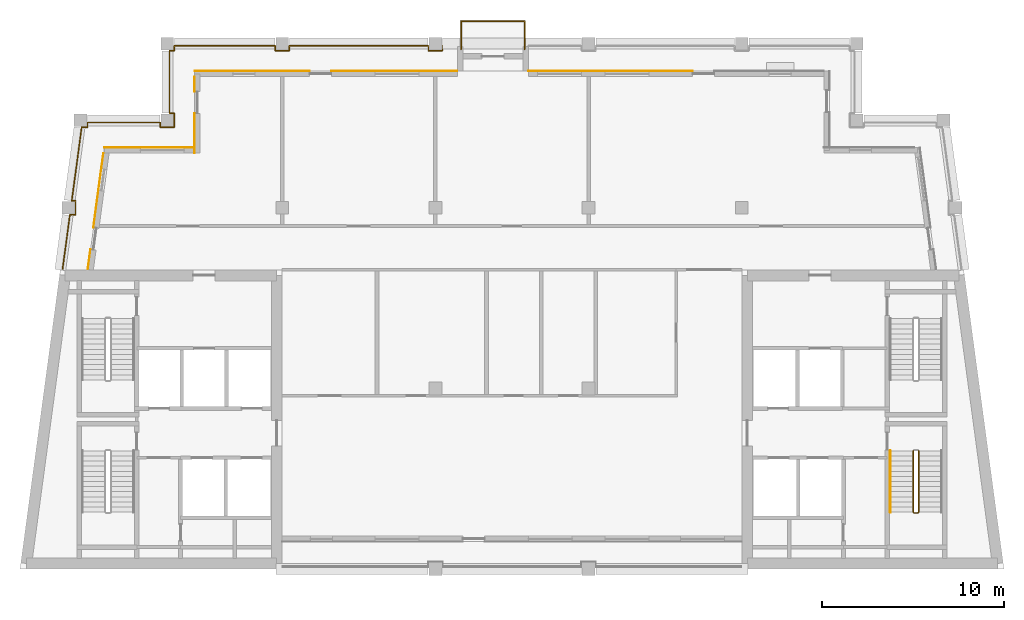
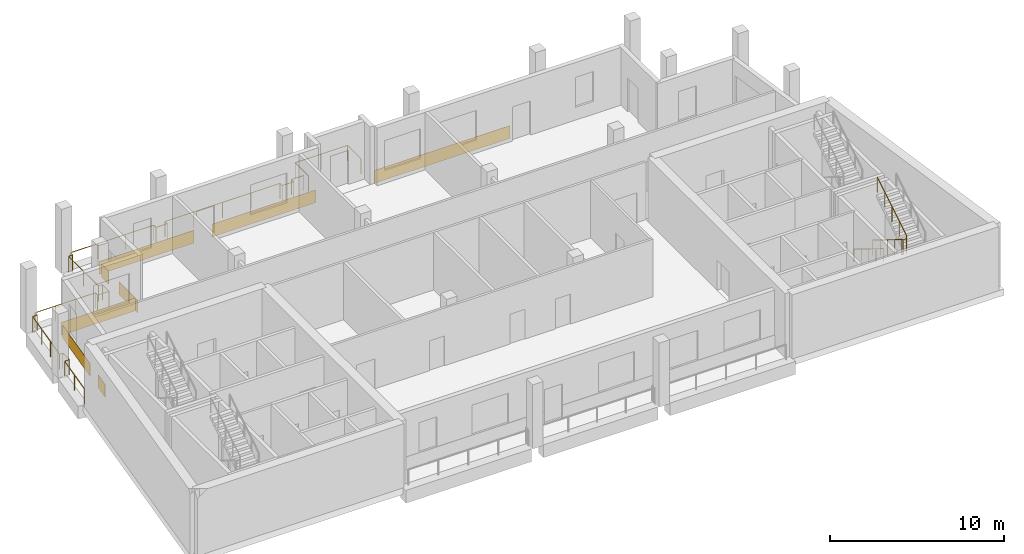
# One storey, part 7 of 9: 8 coverings, 5 railings.
"""IFC4 building model written with IfcOpenShell, lengths in metres."""

from ifc_helpers import new_model, si_unit, direction, frame, origin, origin_2d, place, context, subcontext, project, spatial, rectangle, circle, extrude, material, layer, layer_set, type_object, element, save


model = new_model("IFC4")

# Units and contexts
model_context = context("Model", 3, precision=1e-05, world=origin(), true_north=direction((0.0, 1.0)))
body_context = subcontext(model_context, "Body", "Model", "MODEL_VIEW")
ifc_project = project(units=[si_unit("LENGTHUNIT", "METRE"), si_unit("AREAUNIT", "SQUARE_METRE"), si_unit("VOLUMEUNIT", "CUBIC_METRE"), si_unit("PLANEANGLEUNIT", "RADIAN"), si_unit("MASSUNIT", "GRAM", prefix="KILO")], contexts=[model_context])

# Site, building, storey
site_placement = place(None, origin())
site = spatial("IfcSite", under=ifc_project, at=site_placement, CompositionType="ELEMENT")
building_placement = place(site_placement, origin())
building = spatial("IfcBuilding", under=site, at=building_placement, Name="Candeia Pilgrim Tower and Theatre", CompositionType="ELEMENT")
storey_placement = place(building_placement, frame((0.0, 0.0, 303.39990234375)))
storey = spatial("IfcBuildingStorey", under=building, at=storey_placement, Name="L74", CompositionType="ELEMENT", Elevation=303.39990234375)

# Railings
ifc_material_1 = material(Name="Stainless steel balustrade", Category="steel")
railing_type_1 = type_object("IfcRailingType", Name="G1 loggia guard 1100", PredefinedType="GUARDRAIL", material=ifc_material_1)
railing_1_placement = place(storey_placement, frame((94.1201171875, 140.47998046875, 0.0)))
element("IfcRailing", 1, at=railing_1_placement, inside=storey, type_object=railing_type_1, Name="Guard L74.1", PredefinedType="GUARDRAIL", context=body_context, shape_type="SweptSolid", body=[
    extrude(circle(Radius=0.02392578125, at=origin_2d()), frame((0.0, 0.0, 1.076171875), z_axis=(0.0, -1.0, 0.0), x_axis=(1.0, 0.0, 0.0)), (0.0, 0.0, 1.0), 0.260009765625),
    extrude(circle(Radius=0.02392578125, at=origin_2d()), frame((0.0, -0.260009765625, 1.076171875), z_axis=(1.0, 0.0, 0.0), x_axis=(0.0, 1.0, 0.0)), (0.0, 0.0, 1.0), 0.759765625),
    extrude(circle(Radius=0.02392578125, at=origin_2d()), frame((0.759765625, -0.260009765625, 1.076171875), z_axis=(0.0, 1.0, 0.0), x_axis=(-1.0, 0.0, 0.0)), (0.0, 0.0, 1.0), 0.760009765625),
    extrude(circle(Radius=0.02392578125, at=origin_2d()), frame((0.759765625, 0.5, 1.076171875), z_axis=(-1.0, 0.0, 0.0), x_axis=(0.0, -1.0, 0.0)), (0.0, 0.0, 1.0), 0.259765625),
    extrude(circle(Radius=0.02392578125, at=origin_2d()), frame((0.5, 0.5, 1.076171875), z_axis=(0.0, 1.0, 0.0), x_axis=(-1.0, 0.0, 0.0)), (0.0, 0.0, 1.0), 3.43994140625),
    extrude(circle(Radius=0.02392578125, at=origin_2d()), frame((0.5, 3.93994140625, 1.076171875), z_axis=(1.0, 0.0, 0.0), x_axis=(0.0, 1.0, 0.0)), (0.0, 0.0, 1.0), 0.259765625),
    extrude(circle(Radius=0.02392578125, at=origin_2d()), frame((0.759765625, 3.93994140625, 1.076171875), z_axis=(0.0, 1.0, 0.0), x_axis=(-1.0, 0.0, 0.0)), (0.0, 0.0, 1.0), 0.260009765625),
    extrude(circle(Radius=0.02392578125, at=origin_2d()), frame((0.759765625, 4.199951171875, 1.076171875), z_axis=(1.0, 0.0, 0.0), x_axis=(0.0, 1.0, 0.0)), (0.0, 0.0, 1.0), 5.5400390625),
    extrude(circle(Radius=0.02392578125, at=origin_2d()), frame((6.2998046875, 4.199951171875, 1.076171875), z_axis=(0.0, -1.0, 0.0), x_axis=(1.0, 0.0, 0.0)), (0.0, 0.0, 1.0), 0.260009765625),
    extrude(circle(Radius=0.02392578125, at=origin_2d()), frame((6.2998046875, 3.93994140625, 1.076171875), z_axis=(1.0, 0.0, 0.0), x_axis=(0.0, 1.0, 0.0)), (0.0, 0.0, 1.0), 0.760009765625),
    extrude(circle(Radius=0.02392578125, at=origin_2d()), frame((7.059814453125, 3.93994140625, 1.076171875), z_axis=(0.0, 1.0, 0.0), x_axis=(-1.0, 0.0, 0.0)), (0.0, 0.0, 1.0), 0.260009765625),
    extrude(circle(Radius=0.02392578125, at=origin_2d()), frame((7.059814453125, 4.199951171875, 1.076171875), z_axis=(1.0, 0.0, 0.0), x_axis=(0.0, 1.0, 0.0)), (0.0, 0.0, 1.0), 7.64013671875),
    extrude(circle(Radius=0.02392578125, at=origin_2d()), frame((14.699951171875, 4.199951171875, 1.076171875), z_axis=(0.0, -1.0, 0.0), x_axis=(1.0, 0.0, 0.0)), (0.0, 0.0, 1.0), 0.260009765625),
    extrude(circle(Radius=0.02392578125, at=origin_2d()), frame((14.699951171875, 3.93994140625, 1.076171875), z_axis=(1.0, 0.0, 0.0), x_axis=(0.0, 1.0, 0.0)), (0.0, 0.0, 1.0), 0.760009765625),
    extrude(circle(Radius=0.02392578125, at=origin_2d()), frame((15.4599609375, 3.93994140625, 1.076171875), z_axis=(0.0, 1.0, 0.0), x_axis=(-1.0, 0.0, 0.0)), (0.0, 0.0, 1.0), 0.260009765625),
    extrude(circle(Radius=0.02392578125, at=origin_2d()), frame((15.4599609375, 4.199951171875, 1.076171875), z_axis=(1.0, 0.0, 0.0), x_axis=(0.0, 1.0, 0.0)), (0.0, 0.0, 1.0), 0.81982421875),
    extrude(circle(Radius=0.02099609375, at=origin_2d()), origin(), (0.0, 0.0, 1.0), 1.052001953125),
    extrude(circle(Radius=0.02099609375, at=origin_2d()), frame((0.0, -0.260009765625, 0.0)), (0.0, 0.0, 1.0), 1.052001953125),
    extrude(circle(Radius=0.02099609375, at=origin_2d()), frame((0.759765625, -0.260009765625, 0.0)), (0.0, 0.0, 1.0), 1.052001953125),
    extrude(circle(Radius=0.02099609375, at=origin_2d()), frame((0.759765625, 0.5, 0.0)), (0.0, 0.0, 1.0), 1.052001953125),
    extrude(circle(Radius=0.02099609375, at=origin_2d()), frame((0.5, 0.5, 0.0)), (0.0, 0.0, 1.0), 1.052001953125),
    extrude(circle(Radius=0.02099609375, at=origin_2d()), frame((0.5, 2.219970703125, 0.0)), (0.0, 0.0, 1.0), 1.052001953125),
    extrude(circle(Radius=0.02099609375, at=origin_2d()), frame((0.5, 3.93994140625, 0.0)), (0.0, 0.0, 1.0), 1.052001953125),
    extrude(circle(Radius=0.02099609375, at=origin_2d()), frame((0.759765625, 3.93994140625, 0.0)), (0.0, 0.0, 1.0), 1.052001953125),
    extrude(circle(Radius=0.02099609375, at=origin_2d()), frame((0.759765625, 4.199951171875, 0.0)), (0.0, 0.0, 1.0), 1.052001953125),
    extrude(circle(Radius=0.02099609375, at=origin_2d()), frame((2.6064453125, 4.199951171875, 0.0)), (0.0, 0.0, 1.0), 1.052001953125),
    extrude(circle(Radius=0.02099609375, at=origin_2d()), frame((4.453125, 4.199951171875, 0.0)), (0.0, 0.0, 1.0), 1.052001953125),
    extrude(circle(Radius=0.02099609375, at=origin_2d()), frame((6.2998046875, 4.199951171875, 0.0)), (0.0, 0.0, 1.0), 1.052001953125),
    extrude(circle(Radius=0.02099609375, at=origin_2d()), frame((6.2998046875, 3.93994140625, 0.0)), (0.0, 0.0, 1.0), 1.052001953125),
    extrude(circle(Radius=0.02099609375, at=origin_2d()), frame((7.059814453125, 3.93994140625, 0.0)), (0.0, 0.0, 1.0), 1.052001953125),
    extrude(circle(Radius=0.02099609375, at=origin_2d()), frame((7.059814453125, 4.199951171875, 0.0)), (0.0, 0.0, 1.0), 1.052001953125),
    extrude(circle(Radius=0.02099609375, at=origin_2d()), frame((8.9697265625, 4.199951171875, 0.0)), (0.0, 0.0, 1.0), 1.052001953125),
    extrude(circle(Radius=0.02099609375, at=origin_2d()), frame((10.8798828125, 4.199951171875, 0.0)), (0.0, 0.0, 1.0), 1.052001953125),
    extrude(circle(Radius=0.02099609375, at=origin_2d()), frame((12.7900390625, 4.199951171875, 0.0)), (0.0, 0.0, 1.0), 1.052001953125),
    extrude(circle(Radius=0.02099609375, at=origin_2d()), frame((14.699951171875, 4.199951171875, 0.0)), (0.0, 0.0, 1.0), 1.052001953125),
    extrude(circle(Radius=0.02099609375, at=origin_2d()), frame((14.699951171875, 3.93994140625, 0.0)), (0.0, 0.0, 1.0), 1.052001953125),
    extrude(circle(Radius=0.02099609375, at=origin_2d()), frame((15.4599609375, 3.93994140625, 0.0)), (0.0, 0.0, 1.0), 1.052001953125),
    extrude(circle(Radius=0.02099609375, at=origin_2d()), frame((15.4599609375, 4.199951171875, 0.0)), (0.0, 0.0, 1.0), 1.052001953125),
    extrude(circle(Radius=0.02099609375, at=origin_2d()), frame((16.27978515625, 4.199951171875, 0.0)), (0.0, 0.0, 1.0), 1.052001953125),
])
railing_2_placement = place(storey_placement, frame((88.758544921875, 132.449951171875, 0.0)))
element("IfcRailing", 2, at=railing_2_placement, inside=storey, type_object=railing_type_1, Name="Guard L74.4", PredefinedType="GUARDRAIL", context=body_context, shape_type="SweptSolid", body=[
    extrude(circle(Radius=0.02392578125, at=origin_2d()), frame((0.0, 0.0, 1.076171875), z_axis=(0.133444326958, 0.991056311015, 0.0), x_axis=(-0.991056311015, 0.133444326958, 0.0)), (0.0, 0.0, 1.0), 2.996826171875),
    extrude(circle(Radius=0.02392578125, at=origin_2d()), frame((0.39990234375, 2.969970703125, 1.076171875), z_axis=(1.0, 0.0, 0.0), x_axis=(0.0, 1.0, 0.0)), (0.0, 0.0, 1.0), 0.31005859375),
    extrude(circle(Radius=0.02392578125, at=origin_2d()), frame((0.7099609375, 2.969970703125, 1.076171875), z_axis=(0.0, 1.0, 0.0), x_axis=(-1.0, 0.0, 0.0)), (0.0, 0.0, 1.0), 0.760009765625),
    extrude(circle(Radius=0.02392578125, at=origin_2d()), frame((0.7099609375, 3.72998046875, 1.076171875), z_axis=(-1.0, 0.0, 0.0), x_axis=(0.0, -1.0, 0.0)), (0.0, 0.0, 1.0), 0.207763671875),
    extrude(circle(Radius=0.02392578125, at=origin_2d()), frame((0.502197265625, 3.72998046875, 1.076171875), z_axis=(0.133375812436, 0.991065533987, 0.0), x_axis=(-0.991065533987, 0.133375812436, 0.0)), (0.0, 0.0, 1.0), 4.076416015625),
    extrude(circle(Radius=0.02392578125, at=origin_2d()), frame((1.0458984375, 7.77001953125, 1.076171875), z_axis=(1.0, 0.0, 0.0), x_axis=(0.0, 1.0, 0.0)), (0.0, 0.0, 1.0), 0.31005859375),
    extrude(circle(Radius=0.02392578125, at=origin_2d()), frame((1.35595703125, 7.77001953125, 1.076171875), z_axis=(0.0, 1.0, 0.0), x_axis=(-1.0, 0.0, 0.0)), (0.0, 0.0, 1.0), 0.260009765625),
    extrude(circle(Radius=0.02392578125, at=origin_2d()), frame((1.35595703125, 8.030029296875, 1.076171875), z_axis=(1.0, 0.0, 0.0), x_axis=(0.0, 1.0, 0.0)), (0.0, 0.0, 1.0), 4.005615234375),
    extrude(circle(Radius=0.02099609375, at=origin_2d()), origin(), (0.0, 0.0, 1.0), 1.052001953125),
    extrude(circle(Radius=0.02099609375, at=origin_2d()), frame((0.199951171875, 1.48486328125, 0.0)), (0.0, 0.0, 1.0), 1.052001953125),
    extrude(circle(Radius=0.02099609375, at=origin_2d()), frame((0.39990234375, 2.969970703125, 0.0)), (0.0, 0.0, 1.0), 1.052001953125),
    extrude(circle(Radius=0.02099609375, at=origin_2d()), frame((0.7099609375, 2.969970703125, 0.0)), (0.0, 0.0, 1.0), 1.052001953125),
    extrude(circle(Radius=0.02099609375, at=origin_2d()), frame((0.7099609375, 3.72998046875, 0.0)), (0.0, 0.0, 1.0), 1.052001953125),
    extrude(circle(Radius=0.02099609375, at=origin_2d()), frame((0.502197265625, 3.72998046875, 0.0)), (0.0, 0.0, 1.0), 1.052001953125),
    extrude(circle(Radius=0.02099609375, at=origin_2d()), frame((0.683349609375, 5.07666015625, 0.0)), (0.0, 0.0, 1.0), 1.052001953125),
    extrude(circle(Radius=0.02099609375, at=origin_2d()), frame((0.86474609375, 6.42333984375, 0.0)), (0.0, 0.0, 1.0), 1.052001953125),
    extrude(circle(Radius=0.02099609375, at=origin_2d()), frame((1.0458984375, 7.77001953125, 0.0)), (0.0, 0.0, 1.0), 1.052001953125),
    extrude(circle(Radius=0.02099609375, at=origin_2d()), frame((1.35595703125, 7.77001953125, 0.0)), (0.0, 0.0, 1.0), 1.052001953125),
    extrude(circle(Radius=0.02099609375, at=origin_2d()), frame((1.35595703125, 8.030029296875, 0.0)), (0.0, 0.0, 1.0), 1.052001953125),
    extrude(circle(Radius=0.02099609375, at=origin_2d()), frame((2.691162109375, 8.030029296875, 0.0)), (0.0, 0.0, 1.0), 1.052001953125),
    extrude(circle(Radius=0.02099609375, at=origin_2d()), frame((4.0263671875, 8.030029296875, 0.0)), (0.0, 0.0, 1.0), 1.052001953125),
    extrude(circle(Radius=0.02099609375, at=origin_2d()), frame((5.361572265625, 8.030029296875, 0.0)), (0.0, 0.0, 1.0), 1.052001953125),
])
railing_3_placement = place(storey_placement, frame((110.610107421875, 144.5, 0.0)))
element("IfcRailing", 3, at=railing_3_placement, inside=storey, type_object=railing_type_1, Name="Balcony guard L74", PredefinedType="GUARDRAIL", context=body_context, shape_type="SweptSolid", body=[
    extrude(circle(Radius=0.02392578125, at=origin_2d()), frame((0.0, 0.0, 1.076171875), z_axis=(0.0, 1.0, 0.0), x_axis=(-1.0, 0.0, 0.0)), (0.0, 0.0, 1.0), 1.5400390625),
    extrude(circle(Radius=0.02392578125, at=origin_2d()), frame((0.0, 1.5400390625, 1.076171875), z_axis=(1.0, 0.0, 0.0), x_axis=(0.0, 1.0, 0.0)), (0.0, 0.0, 1.0), 3.47998046875),
    extrude(circle(Radius=0.02392578125, at=origin_2d()), frame((3.47998046875, 1.5400390625, 1.076171875), z_axis=(0.0, -1.0, 0.0), x_axis=(1.0, 0.0, 0.0)), (0.0, 0.0, 1.0), 1.5400390625),
    extrude(circle(Radius=0.02099609375, at=origin_2d()), origin(), (0.0, 0.0, 1.0), 1.052001953125),
    extrude(circle(Radius=0.02099609375, at=origin_2d()), frame((0.0, 1.5400390625, 0.0)), (0.0, 0.0, 1.0), 1.052001953125),
    extrude(circle(Radius=0.02099609375, at=origin_2d()), frame((1.739990234375, 1.5400390625, 0.0)), (0.0, 0.0, 1.0), 1.052001953125),
    extrude(circle(Radius=0.02099609375, at=origin_2d()), frame((3.47998046875, 1.5400390625, 0.0)), (0.0, 0.0, 1.0), 1.052001953125),
    extrude(circle(Radius=0.02099609375, at=origin_2d()), frame((3.47998046875, 0.0, 0.0)), (0.0, 0.0, 1.0), 1.052001953125),
])

# Coverings
ifc_material_2 = material(Name="Glazed ceramic tile bottle green")
ifc_layer = layer(ifc_material_2, 0.02001953125)
ifc_layer_set = layer_set([ifc_layer], Name="Glazed ceramic tile bottle green")
covering_type = type_object("IfcCoveringType", Name="Glazed ceramic tile bottle green", PredefinedType="CLADDING", material=ifc_layer_set)
covering_1_placement = place(storey_placement, frame((90.720947265625, 136.759521484375, 0.000244140625), z_axis=(0.0, 0.0, 1.0), x_axis=(-0.133412012145, -0.991060661622, 0.0)))
element("IfcCovering", 4, at=covering_1_placement, inside=storey, type_object=covering_type, Name="Tile cladding bottle green L74", PredefinedType="CLADDING", context=body_context, shape_type="SweptSolid", body=[
    extrude(rectangle(XDim=4.123779296875, YDim=0.02001953125, at=origin_2d()), origin(), (0.0, 0.0, 1.0), 0.89990234375),
])
covering_2_placement = place(storey_placement, frame((90.21142578125, 132.97412109375, 0.000244140625), z_axis=(0.0, 0.0, 1.0), x_axis=(-0.133412012145, -0.991060661622, 0.0)))
element("IfcCovering", 5, at=covering_2_placement, inside=storey, type_object=covering_type, Name="Tile cladding bottle green L74", PredefinedType="CLADDING", context=body_context, shape_type="SweptSolid", body=[
    extrude(rectangle(XDim=1.115234375, YDim=0.02001953125, at=origin_2d()), origin(), (0.0, 0.0, 1.0), 0.89990234375),
])
covering_3_placement = place(storey_placement, frame((118.800048828125, 143.31005859375, 0.000244140625), z_axis=(0.0, 0.0, 1.0), x_axis=(-1.0, 0.0, 0.0)))
element("IfcCovering", 6, at=covering_3_placement, inside=storey, type_object=covering_type, Name="Tile cladding bottle green L74", PredefinedType="CLADDING", context=body_context, shape_type="SweptSolid", body=[
    extrude(rectangle(XDim=9.0, YDim=0.02001953125, at=origin_2d()), origin(), (0.0, 0.0, 1.0), 0.89990234375),
])
covering_4_placement = place(storey_placement, frame((106.949951171875, 143.31005859375, 0.000244140625), z_axis=(0.0, 0.0, 1.0), x_axis=(-1.0, 0.0, 0.0)))
element("IfcCovering", 7, at=covering_4_placement, inside=storey, type_object=covering_type, Name="Tile cladding bottle green L74", PredefinedType="CLADDING", context=body_context, shape_type="SweptSolid", body=[
    extrude(rectangle(XDim=6.89990234375, YDim=0.02001953125, at=origin_2d()), origin(), (0.0, 0.0, 1.0), 0.89990234375),
])
covering_5_placement = place(storey_placement, frame((99.14990234375, 143.31005859375, 0.000244140625), z_axis=(0.0, 0.0, 1.0), x_axis=(-1.0, 0.0, 0.0)))
element("IfcCovering", 8, at=covering_5_placement, inside=storey, type_object=covering_type, Name="Tile cladding bottle green L74", PredefinedType="CLADDING", context=body_context, shape_type="SweptSolid", body=[
    extrude(rectangle(XDim=6.300048828125, YDim=0.02001953125, at=origin_2d()), origin(), (0.0, 0.0, 1.0), 0.89990234375),
])
covering_6_placement = place(storey_placement, frame((95.989990234375, 142.577392578125, 0.000244140625), z_axis=(0.0, 0.0, 1.0), x_axis=(0.0, -1.0, 0.0)))
element("IfcCovering", 9, at=covering_6_placement, inside=storey, type_object=covering_type, Name="Tile cladding bottle green L74", PredefinedType="CLADDING", context=body_context, shape_type="SweptSolid", body=[
    extrude(rectangle(XDim=0.804931640625, YDim=0.02001953125, at=origin_2d()), origin(), (0.0, 0.0, 1.0), 0.89990234375),
])
covering_7_placement = place(storey_placement, frame((95.989990234375, 139.887451171875, 0.000244140625), z_axis=(0.0, 0.0, 1.0), x_axis=(0.0, -1.0, 0.0)))
element("IfcCovering", 10, at=covering_7_placement, inside=storey, type_object=covering_type, Name="Tile cladding bottle green L74", PredefinedType="CLADDING", context=body_context, shape_type="SweptSolid", body=[
    extrude(rectangle(XDim=2.175048828125, YDim=0.02001953125, at=origin_2d()), origin(), (0.0, 0.0, 1.0), 0.89990234375),
])
covering_8_placement = place(storey_placement, frame((93.51318359375, 139.110107421875, 0.000244140625), z_axis=(0.0, 0.0, 1.0), x_axis=(-1.0, 0.0, 0.0)))
element("IfcCovering", 11, at=covering_8_placement, inside=storey, type_object=covering_type, Name="Tile cladding bottle green L74", PredefinedType="CLADDING", context=body_context, shape_type="SweptSolid", body=[
    extrude(rectangle(XDim=4.933837890625, YDim=0.02001953125, at=origin_2d()), origin(), (0.0, 0.0, 1.0), 0.89990234375),
])

# Railings
railing_type_2 = type_object("IfcRailingType", Name="RL-GUARD-1100", PredefinedType="GUARDRAIL", material=ifc_material_1)
railing_4_placement = place(storey_placement, frame((135.39794921875, 122.47509765625, 0.173095703125)))
element("IfcRailing", 12, at=railing_4_placement, inside=storey, type_object=railing_type_2, Name="L74 ST3 stair guard 1", PredefinedType="GUARDRAIL", context=body_context, shape_type="SweptSolid", body=[
    extrude(circle(Radius=0.02392578125, at=origin_2d()), frame((0.0, 0.0, 1.076171875), z_axis=(0.0, -0.850623216509, 0.525775754039), x_axis=(1.0, 0.0, 0.0)), (0.0, 0.0, 1.0), 3.9501953125),
    extrude(circle(Radius=0.02392578125, at=origin_2d()), frame((0.0, -3.360107421875, 3.15283203125), z_axis=(0.707106781187, -0.707106781187, 0.0), x_axis=(0.707106781187, 0.707106781187, 0.0)), (0.0, 0.0, 1.0), 0.07080078125),
    extrude(circle(Radius=0.02392578125, at=origin_2d()), frame((0.050048828125, -3.41015625, 3.15283203125), z_axis=(1.0, 0.0, 0.0), x_axis=(0.0, 1.0, 0.0)), (0.0, 0.0, 1.0), 0.199951171875),
    extrude(circle(Radius=0.02392578125, at=origin_2d()), frame((0.25, -3.41015625, 3.15283203125), z_axis=(0.267629722418, 0.267629722418, 0.925607186314), x_axis=(-0.707106781187, 0.707106781187, 0.0)), (0.0, 0.0, 1.0), 0.18701171875),
    extrude(circle(Radius=0.02392578125, at=origin_2d()), frame((0.300048828125, -3.360107421875, 3.326171875), z_axis=(0.0, 0.850623216509, 0.525775754039), x_axis=(-1.0, 0.0, 0.0)), (0.0, 0.0, 1.0), 3.9501953125),
    extrude(circle(Radius=0.02099609375, at=origin_2d()), origin(), (0.0, 0.0, 1.0), 1.052001953125),
    extrude(circle(Radius=0.02099609375, at=origin_2d()), frame((0.0, -0.840087890625, 0.519287109375)), (0.0, 0.0, 1.0), 1.052001953125),
    extrude(circle(Radius=0.02099609375, at=origin_2d()), frame((0.0, -1.68017578125, 1.03857421875)), (0.0, 0.0, 1.0), 1.052001953125),
    extrude(circle(Radius=0.02099609375, at=origin_2d()), frame((0.0, -2.52001953125, 1.5576171875)), (0.0, 0.0, 1.0), 1.052001953125),
    extrude(circle(Radius=0.02099609375, at=origin_2d()), frame((0.0, -3.360107421875, 2.076904296875)), (0.0, 0.0, 1.0), 1.052001953125),
    extrude(circle(Radius=0.02099609375, at=origin_2d()), frame((0.050048828125, -3.41015625, 2.076904296875)), (0.0, 0.0, 1.0), 1.052001953125),
    extrude(circle(Radius=0.02099609375, at=origin_2d()), frame((0.25, -3.41015625, 2.076904296875)), (0.0, 0.0, 1.0), 1.052001953125),
    extrude(circle(Radius=0.02099609375, at=origin_2d()), frame((0.300048828125, -3.360107421875, 2.25)), (0.0, 0.0, 1.0), 1.052001953125),
    extrude(circle(Radius=0.02099609375, at=origin_2d()), frame((0.300048828125, -2.52001953125, 2.769287109375)), (0.0, 0.0, 1.0), 1.052001953125),
    extrude(circle(Radius=0.02099609375, at=origin_2d()), frame((0.300048828125, -1.68017578125, 3.28857421875)), (0.0, 0.0, 1.0), 1.052001953125),
    extrude(circle(Radius=0.02099609375, at=origin_2d()), frame((0.300048828125, -0.840087890625, 3.8076171875)), (0.0, 0.0, 1.0), 1.052001953125),
    extrude(circle(Radius=0.02099609375, at=origin_2d()), frame((0.300048828125, 0.0, 4.326904296875)), (0.0, 0.0, 1.0), 1.052001953125),
])
ifc_material_3 = material(Name="Stainless steel handrail", Category="steel")
railing_type_3 = type_object("IfcRailingType", Name="RL-HANDRAIL-900", PredefinedType="HANDRAIL", material=ifc_material_3)
railing_5_placement = place(storey_placement, frame((134.14794921875, 122.47509765625, 0.173095703125)))
element("IfcRailing", 13, at=railing_5_placement, inside=storey, type_object=railing_type_3, Name="L74 ST3 stair handrail 1", PredefinedType="HANDRAIL", context=body_context, shape_type="SweptSolid", body=[
    extrude(circle(Radius=0.02392578125, at=origin_2d()), frame((0.0, 0.0, 0.8759765625), z_axis=(0.0, -0.850623216509, 0.525775754039), x_axis=(1.0, 0.0, 0.0)), (0.0, 0.0, 1.0), 3.9501953125),
    extrude(circle(Radius=0.02099609375, at=origin_2d()), origin(), (0.0, 0.0, 1.0), 0.851806640625),
    extrude(circle(Radius=0.02099609375, at=origin_2d()), frame((0.0, -0.840087890625, 0.519287109375)), (0.0, 0.0, 1.0), 0.851806640625),
    extrude(circle(Radius=0.02099609375, at=origin_2d()), frame((0.0, -1.68017578125, 1.03857421875)), (0.0, 0.0, 1.0), 0.851806640625),
    extrude(circle(Radius=0.02099609375, at=origin_2d()), frame((0.0, -2.52001953125, 1.5576171875)), (0.0, 0.0, 1.0), 0.851806640625),
    extrude(circle(Radius=0.02099609375, at=origin_2d()), frame((0.0, -3.360107421875, 2.076904296875)), (0.0, 0.0, 1.0), 0.851806640625),
])

save(model, "model.ifc")
